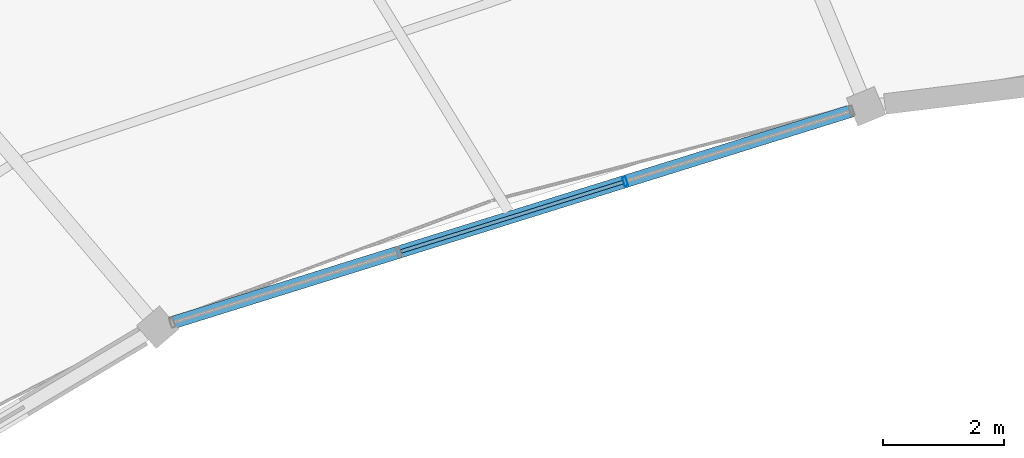
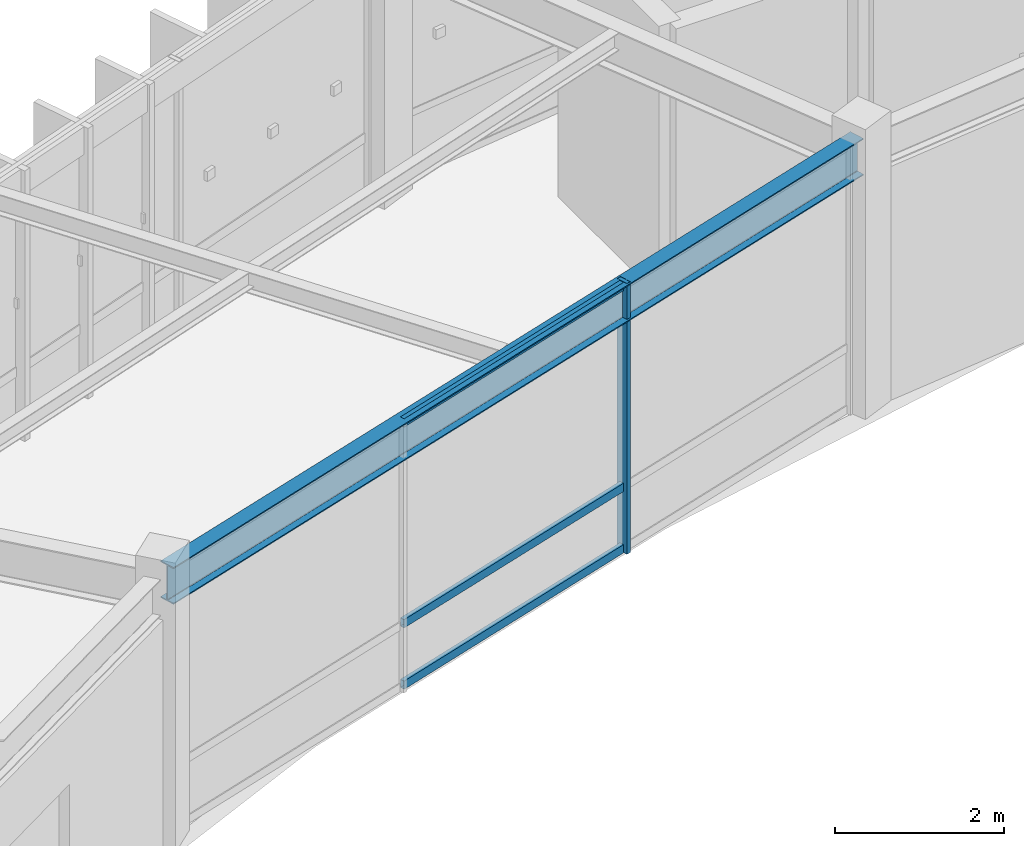
# One storey, part 31 of 79: 4 members, 1 beam, 1 element without a shape of its own.
"""IFC4 building model written with IfcOpenShell, lengths in metres."""

from ifc_helpers import new_model, si_unit, direction, frame, origin, origin_2d, place, context, subcontext, project, spatial, hollow_rectangle, i_section, extrude, material, material_profile, profile_set, type_object, element, aggregate, save


model = new_model("IFC4")

# Units and contexts
model_context = context("Model", 3, precision=1e-05, world=origin(), true_north=direction((0.0, 1.0)))
body_context = subcontext(model_context, "Body", "Model", "MODEL_VIEW")
ifc_project = project(units=[si_unit("LENGTHUNIT", "METRE"), si_unit("AREAUNIT", "SQUARE_METRE"), si_unit("VOLUMEUNIT", "CUBIC_METRE"), si_unit("PLANEANGLEUNIT", "RADIAN"), si_unit("MASSUNIT", "GRAM", prefix="KILO"), si_unit("THERMODYNAMICTEMPERATUREUNIT", "KELVIN"), si_unit("POWERUNIT", "WATT")], contexts=[model_context])

# Site, building, storey
site_placement = place(None, origin())
site = spatial("IfcSite", under=ifc_project, at=site_placement, CompositionType="ELEMENT")
building_placement = place(site_placement, origin())
building = spatial("IfcBuilding", under=site, at=building_placement, Name="Darbajah Civic Hall", CompositionType="ELEMENT")
storey_placement = place(building_placement, frame((0.0, 0.0, 22.199951171875)))
storey = spatial("IfcBuildingStorey", under=building, at=storey_placement, Name="L05", CompositionType="ELEMENT", Elevation=22.199951171875)

# Curtain wall, members
ifc_material_1 = material(Name="Anodised Bronze Aluminium and Low-E Glazing", Category="aluminium")
curtain_wall_type = type_object("IfcCurtainWallType", Name="Unitised Curtain Wall CW-67 11700x3900", PredefinedType="USERDEFINED", material=ifc_material_1)
curtain_wall_placement = place(storey_placement, origin())
curtain_wall = element("IfcCurtainWall", 1, at=curtain_wall_placement, inside=storey, type_object=curtain_wall_type, Name="L05 unitised curtain wall CW-V1I-L05-06", ObjectType="UNITISED CURTAIN WALL", PredefinedType="USERDEFINED")
ifc_material_2 = material(Name="Anodised Bronze Aluminium", Category="aluminium")
ifc_material_profile_1 = material_profile(ifc_material_2, hollow_rectangle(XDim=0.06005859375, YDim=0.159912109375, WallThickness=0.00341796875, at=origin_2d()), Name="ALU MULLION 60x160")
ifc_profile_set_1 = profile_set([ifc_material_profile_1], Name="Anodised Bronze Aluminium")
member_type_1 = type_object("IfcMemberType", Name="ALU MULLION 60x160", PredefinedType="MULLION", material=ifc_profile_set_1)
member_1_placement = place(storey_placement, frame((68.363525390625, 109.162353515625, 0.0), z_axis=(0.0, 0.0, 1.0), x_axis=(-0.954604963513, -0.297874744877, 0.0)))
member_1 = element("IfcMember", 2, at=member_1_placement, type_object=member_type_1, Name="CW-V1I-L05-06 mullion 2", PredefinedType="MULLION", context=body_context, shape_type="SweptSolid", body=[
    extrude(hollow_rectangle(XDim=0.06005859375, YDim=0.159912109375, WallThickness=0.00341796875, at=origin_2d()), origin(), (0.0, 0.0, 1.0), 3.920166015625),
])
ifc_material_profile_2 = material_profile(ifc_material_2, hollow_rectangle(XDim=0.06005859375, YDim=0.1201171875, WallThickness=0.003173828125, at=origin_2d()), Name="ALU TRANSOM 60x120")
ifc_profile_set_2 = profile_set([ifc_material_profile_2], Name="Anodised Bronze Aluminium")
member_type_2 = type_object("IfcMemberType", Name="ALU TRANSOM 60x120", PredefinedType="USERDEFINED", material=ifc_profile_set_2)
member_2_placement = place(storey_placement, frame((68.330078125, 109.15185546875, 0.06005859375), z_axis=(-0.954631377136, -0.297790083428, 0.0), x_axis=(0.297790083428, -0.954631377136, 0.0)))
member_2 = element("IfcMember", 3, at=member_2_placement, type_object=member_type_2, Name="CW-V1I-L05-06 transom 2.1", ObjectType="TRANSOM", PredefinedType="USERDEFINED", context=body_context, shape_type="SweptSolid", body=[
    extrude(hollow_rectangle(XDim=0.06005859375, YDim=0.1201171875, WallThickness=0.003173828125, at=origin_2d()), origin(), (0.0, 0.0, 1.0), 3.841796875),
])
member_3_placement = place(storey_placement, frame((68.330078125, 109.15185546875, 0.949951171875), z_axis=(-0.954631377136, -0.297790083428, 0.0), x_axis=(0.297790083428, -0.954631377136, 0.0)))
member_3 = element("IfcMember", 4, at=member_3_placement, type_object=member_type_2, Name="CW-V1I-L05-06 transom 2.2", ObjectType="TRANSOM", PredefinedType="USERDEFINED", context=body_context, shape_type="SweptSolid", body=[
    extrude(hollow_rectangle(XDim=0.06005859375, YDim=0.1201171875, WallThickness=0.003173828125, at=origin_2d()), origin(), (0.0, 0.0, 1.0), 3.841796875),
])
member_4_placement = place(storey_placement, frame((68.330078125, 109.15185546875, 3.860107421875), z_axis=(-0.954631377136, -0.297790083428, 0.0), x_axis=(0.297790083428, -0.954631377136, 0.0)))
member_4 = element("IfcMember", 5, at=member_4_placement, type_object=member_type_2, Name="CW-V1I-L05-06 transom 2.3", ObjectType="TRANSOM", PredefinedType="USERDEFINED", context=body_context, shape_type="SweptSolid", body=[
    extrude(hollow_rectangle(XDim=0.06005859375, YDim=0.1201171875, WallThickness=0.003173828125, at=origin_2d()), origin(), (0.0, 0.0, 1.0), 3.841796875),
])
aggregate(curtain_wall, [member_1, member_2, member_3, member_4])

# Beam
ifc_material_3 = material(Name="Steel S355JR", Category="steel")
ifc_material_profile_3 = material_profile(ifc_material_3, i_section(OverallWidth=0.209228515625, OverallDepth=0.533203125, WebThickness=0.010009765625, FlangeThickness=0.015625, FilletRadius=0.0126953125, at=origin_2d()), Name="UB 533x210x92")
ifc_profile_set_3 = profile_set([ifc_material_profile_3], Name="Steel S355JR")
beam_type = type_object("IfcBeamType", Name="UB 533x210x92", PredefinedType="BEAM", material=ifc_profile_set_3)
beam_placement = place(storey_placement, frame((72.26220703125, 110.378662109375, 3.653564453125), z_axis=(-0.954619766764, -0.297827300468, 0.0), x_axis=(0.297827300468, -0.954619766764, 0.0)))
element("IfcBeam", 6, at=beam_placement, inside=storey, type_object=beam_type, Name="L05 beam SB-533", PredefinedType="BEAM", context=body_context, shape_type="SweptSolid", body=[
    extrude(i_section(OverallWidth=0.209228515625, OverallDepth=0.533203125, WebThickness=0.010009765625, FlangeThickness=0.015625, FilletRadius=0.0126953125, at=origin_2d()), origin(), (0.0, 0.0, 1.0), 12.07958984375),
])

save(model, "model.ifc")
